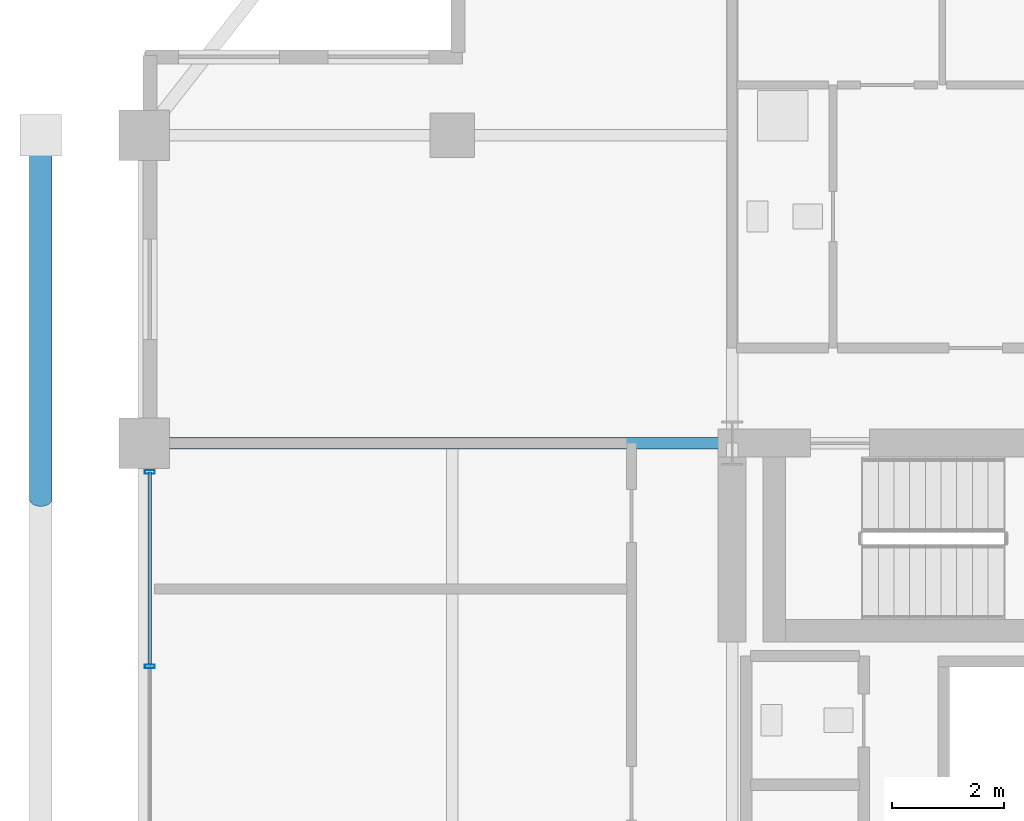
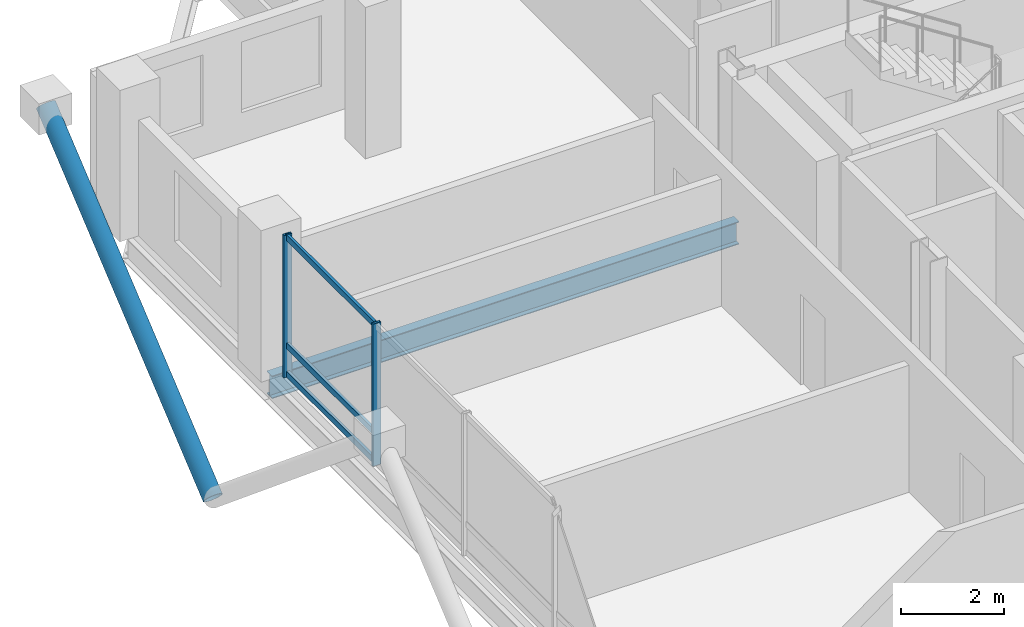
# One storey, part 9 of 23: 6 members, 1 beam, 1 element without a shape of its own.
"""IFC4 building model written with IfcOpenShell, lengths in metres."""

from ifc_helpers import new_model, si_unit, direction, frame, origin, origin_2d, place, context, subcontext, project, spatial, hollow_rectangle, hollow_circle, i_section, extrude, material, layer, layer_set, material_profile, profile_set, type_object, element, aggregate, save


model = new_model("IFC4")

# Units and contexts
model_context = context("Model", 3, precision=1e-05, world=origin(), true_north=direction((0.0, 1.0)))
body_context = subcontext(model_context, "Body", "Model", "MODEL_VIEW")
ifc_project = project(units=[si_unit("LENGTHUNIT", "METRE"), si_unit("AREAUNIT", "SQUARE_METRE"), si_unit("VOLUMEUNIT", "CUBIC_METRE"), si_unit("PLANEANGLEUNIT", "RADIAN"), si_unit("MASSUNIT", "GRAM", prefix="KILO")], contexts=[model_context])

# Site, building, storey
site_placement = place(None, origin())
site = spatial("IfcSite", under=ifc_project, at=site_placement, CompositionType="ELEMENT")
building_placement = place(site_placement, origin())
building = spatial("IfcBuilding", under=site, at=building_placement, Name="Barlavira Tower and Art Museum", CompositionType="ELEMENT")
storey_placement = place(building_placement, frame((0.0, 0.0, 236.699951171875)))
storey = spatial("IfcBuildingStorey", under=building, at=storey_placement, Name="L61", CompositionType="ELEMENT", Elevation=236.699951171875)

# Curtain wall, members
ifc_material_1 = material(Name="Low-iron coastal laminated glass", Category="glass")
ifc_layer = layer(ifc_material_1, 0.2099609375, Name="Low-iron coastal laminated glass")
ifc_layer_set = layer_set([ifc_layer], Name="Low-iron coastal laminated glass")
curtain_wall_type = type_object("IfcCurtainWallType", Name="Pale-Metal Unitised Curtain Wall Zone 4", PredefinedType="NOTDEFINED", material=ifc_layer_set)
curtain_wall_placement = place(storey_placement, origin())
curtain_wall = element("IfcCurtainWall", 1, at=curtain_wall_placement, inside=storey, type_object=curtain_wall_type, Name="L61 Curtain Wall CW4-L61-W-B3", PredefinedType="NOTDEFINED")
ifc_material_2 = material(Name="Pale anodised aluminium", Category="aluminium")
ifc_material_profile_1 = material_profile(ifc_material_2, hollow_rectangle(XDim=0.06494140625, YDim=0.179931640625, WallThickness=0.00390625, at=origin_2d()), Name="ALU-MULL 65x180x4")
ifc_profile_set_1 = profile_set([ifc_material_profile_1], Name="Pale anodised aluminium")
member_type_1 = type_object("IfcMemberType", Name="Curtain Wall Pale-Metal Mullion 65x180", PredefinedType="MULLION", material=ifc_profile_set_1)
member_1_placement = place(storey_placement, frame((-16.89990234375, 6.985107421875, 0.0), z_axis=(0.0, 0.0, 1.0), x_axis=(0.0, -1.0, 0.0)))
member_1 = element("IfcMember", 2, at=member_1_placement, type_object=member_type_1, Name="CW4-L61-W-B3 Mullion 0", PredefinedType="MULLION", context=body_context, shape_type="SweptSolid", body=[
    extrude(hollow_rectangle(XDim=0.06494140625, YDim=0.179931640625, WallThickness=0.00390625, at=origin_2d()), origin(), (0.0, 0.0, 1.0), 3.380126953125),
])
member_2_placement = place(storey_placement, frame((-16.89990234375, 3.514892578125, 0.0), z_axis=(0.0, 0.0, 1.0), x_axis=(0.0, -1.0, 0.0)))
member_2 = element("IfcMember", 3, at=member_2_placement, type_object=member_type_1, Name="CW4-L61-W-B3 Mullion 1", PredefinedType="MULLION", context=body_context, shape_type="SweptSolid", body=[
    extrude(hollow_rectangle(XDim=0.06494140625, YDim=0.179931640625, WallThickness=0.00390625, at=origin_2d()), origin(), (0.0, 0.0, 1.0), 3.380126953125),
])
ifc_material_profile_2 = material_profile(ifc_material_2, hollow_rectangle(XDim=0.06494140625, YDim=0.139892578125, WallThickness=0.00390625, at=origin_2d()), Name="ALU-TRAN 65x140x4")
ifc_profile_set_2 = profile_set([ifc_material_profile_2], Name="Pale anodised aluminium")
member_type_2 = type_object("IfcMemberType", Name="Curtain Wall Pale-Metal Transom 65x140", PredefinedType="USERDEFINED", material=ifc_profile_set_2)
member_3_placement = place(storey_placement, frame((-16.89990234375, 6.985107421875, 0.070068359375), z_axis=(0.0, -1.0, 0.0), x_axis=(1.0, 0.0, 0.0)))
member_3 = element("IfcMember", 4, at=member_3_placement, type_object=member_type_2, Name="CW4-L61-W-B3 Transom 0.1", ObjectType="TRANSOM", PredefinedType="USERDEFINED", context=body_context, shape_type="SweptSolid", body=[
    extrude(hollow_rectangle(XDim=0.06494140625, YDim=0.139892578125, WallThickness=0.00390625, at=origin_2d()), origin(), (0.0, 0.0, 1.0), 3.425048828125),
])
member_4_placement = place(storey_placement, frame((-16.89990234375, 6.985107421875, 0.744140625), z_axis=(0.0, -1.0, 0.0), x_axis=(1.0, 0.0, 0.0)))
member_4 = element("IfcMember", 5, at=member_4_placement, type_object=member_type_2, Name="CW4-L61-W-B3 Transom 0.2", ObjectType="TRANSOM", PredefinedType="USERDEFINED", context=body_context, shape_type="SweptSolid", body=[
    extrude(hollow_rectangle(XDim=0.06494140625, YDim=0.139892578125, WallThickness=0.00390625, at=origin_2d()), origin(), (0.0, 0.0, 1.0), 3.425048828125),
])
member_5_placement = place(storey_placement, frame((-16.89990234375, 6.985107421875, 3.31005859375), z_axis=(0.0, -1.0, 0.0), x_axis=(1.0, 0.0, 0.0)))
member_5 = element("IfcMember", 6, at=member_5_placement, type_object=member_type_2, Name="CW4-L61-W-B3 Transom 0.3", ObjectType="TRANSOM", PredefinedType="USERDEFINED", context=body_context, shape_type="SweptSolid", body=[
    extrude(hollow_rectangle(XDim=0.06494140625, YDim=0.139892578125, WallThickness=0.00390625, at=origin_2d()), origin(), (0.0, 0.0, 1.0), 3.425048828125),
])
aggregate(curtain_wall, [member_1, member_2, member_3, member_4, member_5])

# Member
ifc_material_3 = material(Name="Steel S355", Category="steel")
ifc_material_profile_3 = material_profile(ifc_material_3, hollow_circle(Radius=0.203125, WallThickness=0.01611328125, at=origin_2d()), Name="CHS 406.4x16.0")
ifc_profile_set_3 = profile_set([ifc_material_profile_3], Name="Steel S355")
member_type_3 = type_object("IfcMemberType", Name="Pale-Metal Exoskeleton Diagrid Tube CHS 406x16 Steel S355", PredefinedType="BRACE", material=ifc_profile_set_3)
member_6_placement = place(storey_placement, frame((-18.85009765625, 6.5, -1.919921875), z_axis=(0.0, 0.769196053329, 0.639012857104), x_axis=(-1.0, 0.0, 0.0)))
element("IfcMember", 7, at=member_6_placement, inside=storey, type_object=member_type_3, Name="L61 Exoskeleton Diagrid Tube W", PredefinedType="BRACE", context=body_context, shape_type="SweptSolid", body=[
    extrude(hollow_circle(Radius=0.203125, WallThickness=0.01611328125, at=origin_2d()), origin(), (0.0, 0.0, 1.0), 8.450439453125),
])

# Beam
ifc_material_profile_4 = material_profile(ifc_material_3, i_section(OverallWidth=0.2109375, OverallDepth=0.5390625, WebThickness=0.01171875, FlangeThickness=0.018798828125, at=origin_2d()), Name="W530x109.0")
ifc_profile_set_4 = profile_set([ifc_material_profile_4], Name="Steel S355")
beam_type = type_object("IfcBeamType", Name="Zone 3-4 Primary Floor Girder W530x109 Steel S355", PredefinedType="BEAM", material=ifc_profile_set_4)
beam_placement = place(storey_placement, frame((-17.0, 7.5, -0.489501953125), z_axis=(1.0, 0.0, 0.0), x_axis=(0.0, 1.0, 0.0)))
element("IfcBeam", 8, at=beam_placement, inside=storey, type_object=beam_type, Name="L61 Girder R-W2", PredefinedType="BEAM", context=body_context, shape_type="SweptSolid", body=[
    extrude(i_section(OverallWidth=0.2109375, OverallDepth=0.5390625, WebThickness=0.01171875, FlangeThickness=0.018798828125, at=origin_2d()), origin(), (0.0, 0.0, 1.0), 10.5),
])

save(model, "model.ifc")
